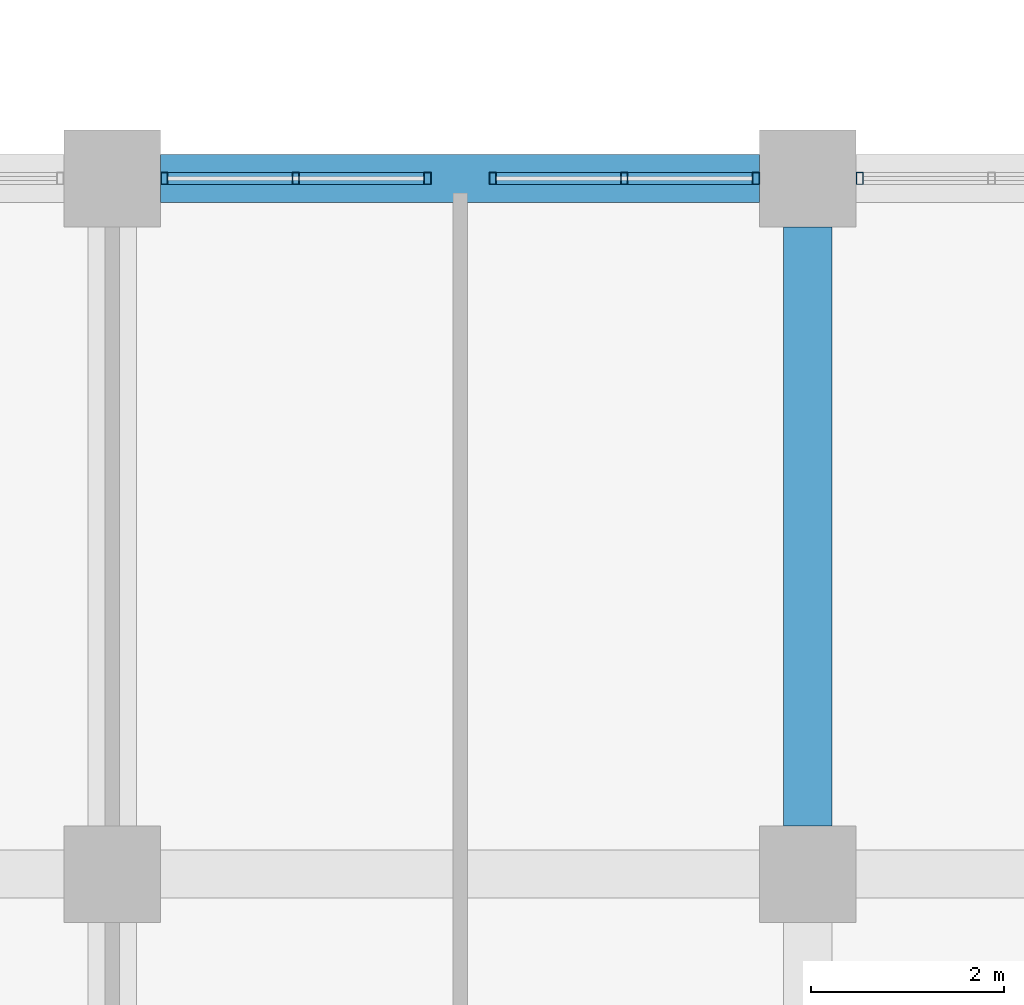
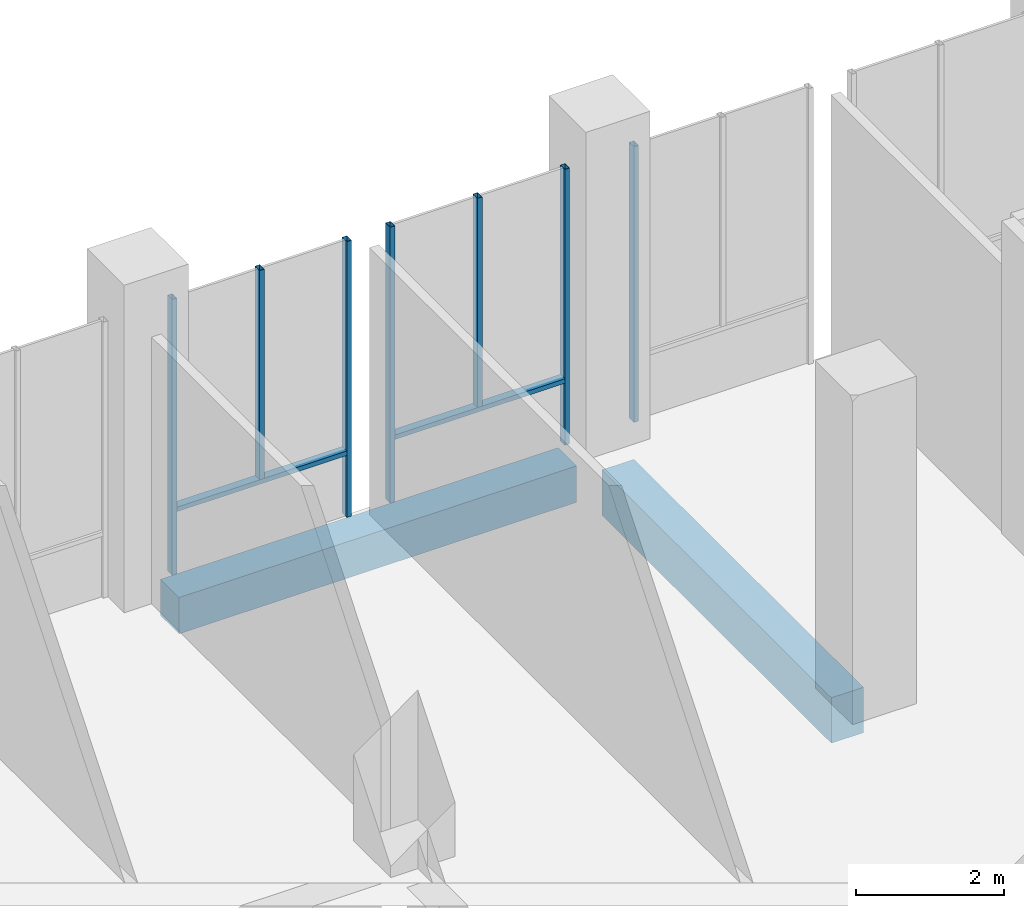
# One storey, part 3 of 48: 9 members, 2 beams, 3 elements without a shape of their own.
"""IFC4 building model written with IfcOpenShell, lengths in metres."""

from ifc_helpers import new_model, si_unit, direction, frame, origin, origin_2d, place, context, subcontext, project, spatial, rectangle, hollow_rectangle, extrude, material, material_profile, profile_set, type_object, element, aggregate, save


model = new_model("IFC4")

# Units and contexts
model_context = context("Model", 3, precision=1e-05, world=origin(), true_north=direction((0.0, 1.0)))
body_context = subcontext(model_context, "Body", "Model", "MODEL_VIEW")
ifc_project = project(units=[si_unit("LENGTHUNIT", "METRE"), si_unit("AREAUNIT", "SQUARE_METRE"), si_unit("VOLUMEUNIT", "CUBIC_METRE"), si_unit("PLANEANGLEUNIT", "RADIAN"), si_unit("MASSUNIT", "GRAM", prefix="KILO")], contexts=[model_context])

# Site, building, storey
site_placement = place(None, origin())
site = spatial("IfcSite", under=ifc_project, at=site_placement, CompositionType="ELEMENT")
building_placement = place(site_placement, origin())
building = spatial("IfcBuilding", under=site, at=building_placement, Name="Silangan Lancet Faculty of Sciences", CompositionType="ELEMENT")
storey_placement = place(building_placement, frame((0.0, 0.0, 6.0)))
storey = spatial("IfcBuildingStorey", under=building, at=storey_placement, Name="L01", CompositionType="ELEMENT", Elevation=6.0)

# Beams
ifc_material_1 = material(Name="Concrete C40/50", Category="concrete")
ifc_material_profile_1 = material_profile(ifc_material_1, rectangle(XDim=0.5, YDim=0.60009765625, at=origin_2d()), Name="RC 500x600")
ifc_profile_set_1 = profile_set([ifc_material_profile_1], Name="Concrete C40/50")
beam_type_1 = type_object("IfcBeamType", Name="BEAM RC 500x600", PredefinedType="BEAM", material=ifc_profile_set_1)
beam_1_placement = place(storey_placement, frame((7.699951171875, 21.60009765625, -0.550048828125), z_axis=(1.0, 0.0, 0.0), x_axis=(0.0, 1.0, 0.0)))
element("IfcBeam", 1, at=beam_1_placement, inside=storey, type_object=beam_type_1, Name="BM-L01-2D-3D", PredefinedType="BEAM", context=body_context, shape_type="SweptSolid", body=[
    extrude(rectangle(XDim=0.5, YDim=0.60009765625, at=origin_2d()), origin(), (0.0, 0.0, 1.0), 6.199951171875),
])
ifc_material_2 = material(Name="Concrete C40/50", Category="concrete")
ifc_material_profile_2 = material_profile(ifc_material_2, rectangle(XDim=0.5, YDim=0.75, at=origin_2d()), Name="RC 500x750")
ifc_profile_set_2 = profile_set([ifc_material_profile_2], Name="Concrete C40/50")
beam_type_2 = type_object("IfcBeamType", Name="BEAM RC 500x750", PredefinedType="BEAM", material=ifc_profile_set_2)
beam_2_placement = place(storey_placement, frame((14.39990234375, 14.89990234375, -0.625), z_axis=(0.0, 1.0, 0.0), x_axis=(-1.0, 0.0, 0.0)))
element("IfcBeam", 2, at=beam_2_placement, inside=storey, type_object=beam_type_2, Name="BM-L01-3C-3D", PredefinedType="BEAM", context=body_context, shape_type="SweptSolid", body=[
    extrude(rectangle(XDim=0.5, YDim=0.75, at=origin_2d()), origin(), (0.0, 0.0, 1.0), 6.2001953125),
])

# Curtain wall, member
ifc_material_3 = material(Name="Aluminium framed curtain wall with insulated glass", Category="aluminium")
curtain_wall_type = type_object("IfcCurtainWallType", Name="CW2 Atrium fire-resisting screen", PredefinedType="NOTDEFINED", material=ifc_material_3)
curtain_wall_1_placement = place(storey_placement, origin())
curtain_wall_1 = element("IfcCurtainWall", 3, at=curtain_wall_1_placement, inside=storey, type_object=curtain_wall_type, Name="CW2 Atrium south L01 bay 2", PredefinedType="NOTDEFINED")
ifc_material_4 = material(Name="Steel S355J2H", Category="steel")
ifc_material_profile_3 = material_profile(ifc_material_4, hollow_rectangle(XDim=0.074951171875, YDim=0.125, WallThickness=0.0048828125, at=origin_2d()), Name="ST BOX 75x125x5")
ifc_profile_set_3 = profile_set([ifc_material_profile_3], Name="Steel S355J2H")
member_type_1 = type_object("IfcMemberType", Name="CM2 Mullion 75x125", PredefinedType="MULLION", material=ifc_profile_set_3)
member_1_placement = place(storey_placement, frame((14.9375, 21.60009765625, 0.0), z_axis=(0.0, 0.0, 1.0), x_axis=(-1.0, 0.0, 0.0)))
member_1 = element("IfcMember", 4, at=member_1_placement, type_object=member_type_1, Name="CW2 Atrium south L01 bay 2 mullion 2", PredefinedType="MULLION", context=body_context, shape_type="SweptSolid", body=[
    extrude(hollow_rectangle(XDim=0.074951171875, YDim=0.125, WallThickness=0.0048828125, at=origin_2d()), origin(), (0.0, 0.0, 1.0), 4.550048828125),
])
aggregate(curtain_wall_1, [member_1])

# Curtain wall, members
curtain_wall_2_placement = place(storey_placement, origin())
curtain_wall_2 = element("IfcCurtainWall", 5, at=curtain_wall_2_placement, inside=storey, type_object=curtain_wall_type, Name="CW2 Atrium south L01 bay 3", PredefinedType="NOTDEFINED")
member_2_placement = place(storey_placement, frame((13.862548828125, 21.60009765625, 0.0), z_axis=(0.0, 0.0, 1.0), x_axis=(-1.0, 0.0, 0.0)))
member_2 = element("IfcMember", 6, at=member_2_placement, type_object=member_type_1, Name="CW2 Atrium south L01 bay 3 mullion 1", PredefinedType="MULLION", context=body_context, shape_type="SweptSolid", body=[
    extrude(hollow_rectangle(XDim=0.074951171875, YDim=0.125, WallThickness=0.0048828125, at=origin_2d()), origin(), (0.0, 0.0, 1.0), 4.550048828125),
])
member_3_placement = place(storey_placement, frame((11.137451171875, 21.60009765625, 0.0), z_axis=(0.0, 0.0, 1.0), x_axis=(-1.0, 0.0, 0.0)))
member_3 = element("IfcMember", 7, at=member_3_placement, type_object=member_type_1, Name="CW2 Atrium south L01 bay 3 mullion 2", PredefinedType="MULLION", context=body_context, shape_type="SweptSolid", body=[
    extrude(hollow_rectangle(XDim=0.074951171875, YDim=0.125, WallThickness=0.0048828125, at=origin_2d()), origin(), (0.0, 0.0, 1.0), 4.550048828125),
])
member_4_placement = place(storey_placement, frame((12.5, 21.60009765625, 1.10009765625), z_axis=(0.0, 0.0, 1.0), x_axis=(-1.0, 0.0, 0.0)))
member_4 = element("IfcMember", 8, at=member_4_placement, type_object=member_type_1, Name="CW2 Atrium south L01 bay 3 mullion 3", PredefinedType="MULLION", context=body_context, shape_type="SweptSolid", body=[
    extrude(hollow_rectangle(XDim=0.074951171875, YDim=0.125, WallThickness=0.0048828125, at=origin_2d()), origin(), (0.0, 0.0, 1.0), 3.449951171875),
])

curtain_wall_3_placement = place(storey_placement, origin())
curtain_wall_3 = element("IfcCurtainWall", 9, at=curtain_wall_3_placement, inside=storey, type_object=curtain_wall_type, Name="CW2 Atrium south L01 bay 4", PredefinedType="NOTDEFINED")
member_5_placement = place(storey_placement, frame((10.46240234375, 21.60009765625, 0.0), z_axis=(0.0, 0.0, 1.0), x_axis=(-1.0, 0.0, 0.0)))
member_5 = element("IfcMember", 10, at=member_5_placement, type_object=member_type_1, Name="CW2 Atrium south L01 bay 4 mullion 1", PredefinedType="MULLION", context=body_context, shape_type="SweptSolid", body=[
    extrude(hollow_rectangle(XDim=0.074951171875, YDim=0.125, WallThickness=0.0048828125, at=origin_2d()), origin(), (0.0, 0.0, 1.0), 4.550048828125),
])
member_6_placement = place(storey_placement, frame((7.737548828125, 21.60009765625, 0.0), z_axis=(0.0, 0.0, 1.0), x_axis=(-1.0, 0.0, 0.0)))
member_6 = element("IfcMember", 11, at=member_6_placement, type_object=member_type_1, Name="CW2 Atrium south L01 bay 4 mullion 2", PredefinedType="MULLION", context=body_context, shape_type="SweptSolid", body=[
    extrude(hollow_rectangle(XDim=0.074951171875, YDim=0.125, WallThickness=0.0048828125, at=origin_2d()), origin(), (0.0, 0.0, 1.0), 4.550048828125),
])
member_7_placement = place(storey_placement, frame((9.10009765625, 21.60009765625, 1.10009765625), z_axis=(0.0, 0.0, 1.0), x_axis=(-1.0, 0.0, 0.0)))
member_7 = element("IfcMember", 12, at=member_7_placement, type_object=member_type_1, Name="CW2 Atrium south L01 bay 4 mullion 3", PredefinedType="MULLION", context=body_context, shape_type="SweptSolid", body=[
    extrude(hollow_rectangle(XDim=0.074951171875, YDim=0.125, WallThickness=0.0048828125, at=origin_2d()), origin(), (0.0, 0.0, 1.0), 3.449951171875),
])

# Member
ifc_material_5 = material(Name="Steel S355J2H", Category="steel")
ifc_material_profile_4 = material_profile(ifc_material_5, hollow_rectangle(XDim=0.125, YDim=0.074951171875, WallThickness=0.0048828125, at=origin_2d()), Name="ST BOX 125x75x5")
ifc_profile_set_4 = profile_set([ifc_material_profile_4], Name="Steel S355J2H")
member_type_2 = type_object("IfcMemberType", Name="CT2 Transom 125x75", PredefinedType="USERDEFINED", material=ifc_profile_set_4)
member_8_placement = place(storey_placement, frame((13.824951171875, 21.60009765625, 1.0625), z_axis=(-1.0, 0.0, 0.0), x_axis=(0.0, -1.0, 0.0)))
member_8 = element("IfcMember", 13, at=member_8_placement, type_object=member_type_2, Name="CW2 Atrium south L01 bay 3 transom 1", ObjectType="TRANSOM", PredefinedType="USERDEFINED", context=body_context, shape_type="SweptSolid", body=[
    extrude(hollow_rectangle(XDim=0.125, YDim=0.074951171875, WallThickness=0.0048828125, at=origin_2d()), origin(), (0.0, 0.0, 1.0), 2.64990234375),
])

aggregate(curtain_wall_2, [member_2, member_3, member_4, member_8])

member_9_placement = place(storey_placement, frame((10.425048828125, 21.60009765625, 1.0625), z_axis=(-1.0, 0.0, 0.0), x_axis=(0.0, -1.0, 0.0)))
member_9 = element("IfcMember", 14, at=member_9_placement, type_object=member_type_2, Name="CW2 Atrium south L01 bay 4 transom 1", ObjectType="TRANSOM", PredefinedType="USERDEFINED", context=body_context, shape_type="SweptSolid", body=[
    extrude(hollow_rectangle(XDim=0.125, YDim=0.074951171875, WallThickness=0.0048828125, at=origin_2d()), origin(), (0.0, 0.0, 1.0), 2.650146484375),
])

aggregate(curtain_wall_3, [member_5, member_6, member_7, member_9])

save(model, "model.ifc")
